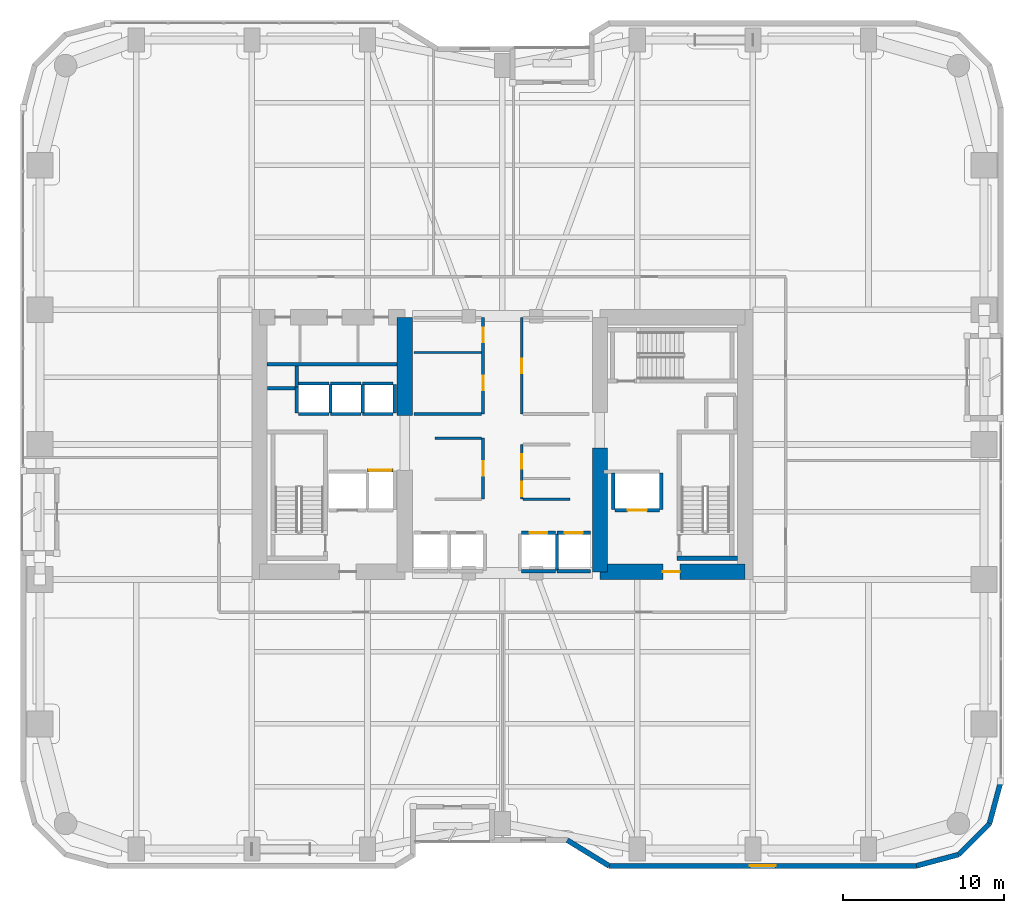
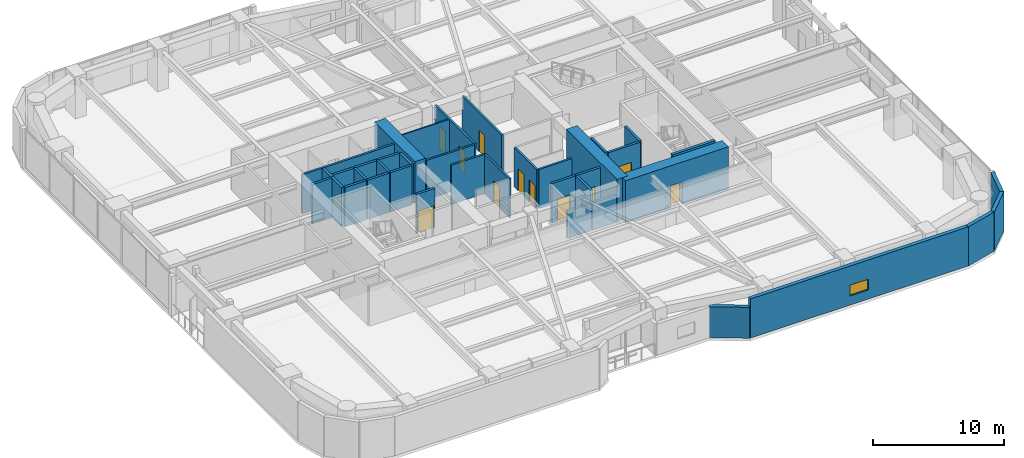
# One storey, part 23 of 29: 39 walls, 11 doors, 1 window, 12 openings.
"""IFC4 building model written with IfcOpenShell, lengths in metres."""

from ifc_helpers import new_model, si_unit, direction, frame, frame_2d, origin, place, context, subcontext, project, spatial, rectangle, extrude, material, layer, layer_set, type_object, element, fill, save


model = new_model("IFC4")

# Units and contexts
model_context = context("Model", 3, precision=1e-05, world=origin(), true_north=direction((0.0, 1.0)))
body_context = subcontext(model_context, "Body", "Model", "MODEL_VIEW")
ifc_project = project(units=[si_unit("LENGTHUNIT", "METRE"), si_unit("AREAUNIT", "SQUARE_METRE"), si_unit("VOLUMEUNIT", "CUBIC_METRE"), si_unit("PLANEANGLEUNIT", "RADIAN"), si_unit("MASSUNIT", "GRAM", prefix="KILO")], contexts=[model_context])

# Site, building, storey
site_placement = place(None, origin())
site = spatial("IfcSite", under=ifc_project, at=site_placement, CompositionType="ELEMENT")
building_placement = place(site_placement, origin())
building = spatial("IfcBuilding", under=site, at=building_placement, Name="Kiyonajd Concourse Tower", CompositionType="ELEMENT")
storey_placement = place(building_placement, frame((0.0, 0.0, 25.5)))
storey = spatial("IfcBuildingStorey", under=building, at=storey_placement, Name="L07", CompositionType="ELEMENT", Elevation=25.5)

# Walls
ifc_material_1 = material(Name="Concrete C80/95", Category="concrete")
ifc_layer_1 = layer(ifc_material_1, 0.949951171875)
ifc_layer_set_1 = layer_set([ifc_layer_1], Name="Concrete C80/95")
wall_type_1 = type_object("IfcWallType", Name="WL-CORE-950", PredefinedType="SHEAR", material=ifc_layer_set_1)
wall_1_placement = place(storey_placement, frame((41.925048828125, 37.800048828125, 0.0), z_axis=(0.0, 0.0, 1.0), x_axis=(0.0, 1.0, 0.0)))
element("IfcWall", 1, at=wall_1_placement, inside=storey, type_object=wall_type_1, Name="L07 West Core Inner North Shear Wall", PredefinedType="SHEAR", context=body_context, shape_type="SweptSolid", body=[
    extrude(rectangle(XDim=6.125, YDim=0.949951171875, at=frame_2d((3.0625, 0.0))), origin(), (0.0, 0.0, 1.0), 3.89990234375),
])
wall_2_placement = place(storey_placement, frame((54.074951171875, 28.074951171875, 0.0), z_axis=(0.0, 0.0, 1.0), x_axis=(0.0, 1.0, 0.0)))
element("IfcWall", 2, at=wall_2_placement, inside=storey, type_object=wall_type_1, Name="L07 East Core Inner South Shear Wall", PredefinedType="SHEAR", context=body_context, shape_type="SweptSolid", body=[
    extrude(rectangle(XDim=7.72509765625, YDim=0.949951171875, at=frame_2d((3.862548828125, 0.0))), origin(), (0.0, 0.0, 1.0), 3.89990234375),
])

# Wall, opening, door
wall_3_placement = place(storey_placement, frame((54.074951171875, 28.074951171875, 0.0), z_axis=(0.0, 0.0, 1.0), x_axis=(1.0, 0.0, 0.0)))
wall_3 = element("IfcWall", 3, at=wall_3_placement, inside=storey, type_object=wall_type_1, Name="L07 East Core South Shear Wall", PredefinedType="SHEAR", context=body_context, shape_type="SweptSolid", body=[
    extrude(rectangle(XDim=9.050048828125, YDim=0.949951171875, at=frame_2d((4.52490234375, 0.0))), origin(), (0.0, 0.0, 1.0), 3.89990234375),
])
opening_1_placement = place(wall_3_placement, frame((3.925048828125, 0.0, 0.0)))
opening_1 = element("IfcOpeningElement", 4, at=opening_1_placement, cuts=wall_3, Name="Opening DF5", PredefinedType="OPENING", context=body_context, shape_type="SweptSolid", body=[
    extrude(rectangle(XDim=1.050048828125, YDim=2.0400390625, at=frame_2d((0.52490234375, 1.02001953125))), frame((0.0, 0.48486328125, 0.0), z_axis=(0.0, -1.0, 0.0), x_axis=(1.0, 0.0, 0.0)), (0.0, 0.0, 1.0), 0.969970703125),
])
ifc_material_2 = material(Name="Brushed Stainless Steel Cab Assembly", Category="steel")
door_type_1 = type_object("IfcDoorType", Name="DR-FD45-1050", OperationType="NOTDEFINED", PredefinedType="DOOR", material=ifc_material_2)
door_1_placement = place(opening_1_placement, origin())
door_1 = element("IfcDoor", 5, at=door_1_placement, inside=storey, type_object=door_type_1, Name="L07 Firefighting Lift Lobby E Smoke Door", OperationType="SINGLE_SWING_RIGHT", OverallHeight=2.0400390625, OverallWidth=1.050048828125, PredefinedType="DOOR", context=body_context, shape_type="SweptSolid", body=[
    extrude(rectangle(XDim=1.050048828125, YDim=2.0400390625, at=frame_2d((0.52490234375, 1.02001953125))), frame((0.0, 0.02490234375, 0.0), z_axis=(0.0, -1.0, 0.0), x_axis=(1.0, 0.0, 0.0)), (0.0, 0.0, 1.0), 0.050048828125),
])
fill(opening_1, door_1)

# Walls
ifc_material_3 = material(Name="Precast concrete C50/60", Category="concrete")
ifc_layer_2 = layer(ifc_material_3, 0.320068359375)
ifc_layer_set_2 = layer_set([ifc_layer_2], Name="Precast concrete C50/60")
wall_type_2 = type_object("IfcWallType", Name="WL-EXT-320", PredefinedType="SOLIDWALL", material=ifc_layer_set_2)
wall_4_placement = place(storey_placement, frame((79.0400390625, 15.02099609375, 0.0), z_axis=(0.0, 0.0, 1.0), x_axis=(-0.25869736047, -0.965958423373, 0.0)))
element("IfcWall", 6, at=wall_4_placement, inside=storey, type_object=wall_type_2, Name="L07 Exterior Concrete Frame Wall 25", PredefinedType="SOLIDWALL", context=body_context, shape_type="SweptSolid", body=[
    extrude(rectangle(XDim=2.731201171875, YDim=0.320068359375, at=frame_2d((1.36572265625, 0.0))), origin(), (0.0, 0.0, 1.0), 3.639892578125),
])
wall_5_placement = place(storey_placement, frame((78.33349609375, 12.3828125, 0.0), z_axis=(0.0, 0.0, 1.0), x_axis=(-0.707106781187, -0.707106781187, 0.0)))
element("IfcWall", 7, at=wall_5_placement, inside=storey, type_object=wall_type_2, Name="L07 Exterior Concrete Frame Wall 26", PredefinedType="SOLIDWALL", context=body_context, shape_type="SweptSolid", body=[
    extrude(rectangle(XDim=2.7099609375, YDim=0.320068359375, at=frame_2d((1.35498046875, 0.0))), origin(), (0.0, 0.0, 1.0), 3.639892578125),
])
wall_6_placement = place(storey_placement, frame((76.417236328125, 10.466552734375, 0.0), z_axis=(0.0, 0.0, 1.0), x_axis=(-0.965964405026, -0.25867502435, 0.0)))
element("IfcWall", 8, at=wall_6_placement, inside=storey, type_object=wall_type_2, Name="L07 Exterior Concrete Frame Wall 27", PredefinedType="SOLIDWALL", context=body_context, shape_type="SweptSolid", body=[
    extrude(rectangle(XDim=2.7314453125, YDim=0.320068359375, at=frame_2d((1.36572265625, 0.0))), origin(), (0.0, 0.0, 1.0), 3.639892578125),
])

# Wall, opening, window
wall_7_placement = place(storey_placement, frame((73.77880859375, 9.760009765625, 0.0), z_axis=(0.0, 0.0, 1.0), x_axis=(-1.0, 0.0, 0.0)))
wall_7 = element("IfcWall", 9, at=wall_7_placement, inside=storey, type_object=wall_type_2, Name="L07 Exterior Concrete Frame Wall 28", PredefinedType="SOLIDWALL", context=body_context, shape_type="SweptSolid", body=[
    extrude(rectangle(XDim=19.133544921875, YDim=0.320068359375, at=frame_2d((9.56689453125, 0.0))), origin(), (0.0, 0.0, 1.0), 3.639892578125),
])
opening_2_placement = place(wall_7_placement, frame((8.76708984375, 0.0, 0.85009765625)))
opening_2 = element("IfcOpeningElement", 10, at=opening_2_placement, cuts=wall_7, Name="Opening WN6", PredefinedType="OPENING", context=body_context, shape_type="SweptSolid", body=[
    extrude(rectangle(XDim=1.60009765625, YDim=1.0, at=frame_2d((0.800048828125, 0.5))), frame((0.0, 0.169921875, 0.0), z_axis=(0.0, -1.0, 0.0), x_axis=(1.0, 0.0, 0.0)), (0.0, 0.0, 1.0), 0.340087890625),
])
ifc_material_4 = material(Name="Double Low-E Insulated Glass", Category="glass")
window_type = type_object("IfcWindowType", Name="WN-VIS-1600x1000", PartitioningType="SINGLE_PANEL", PredefinedType="WINDOW", material=ifc_material_4)
window_placement = place(opening_2_placement, origin())
window = element("IfcWindow", 11, at=window_placement, inside=storey, type_object=window_type, Name="L07 Modular Facade Vision Window 28", OverallHeight=1.0, OverallWidth=1.60009765625, PartitioningType="SINGLE_PANEL", PredefinedType="WINDOW", context=body_context, shape_type="SweptSolid", body=[
    extrude(rectangle(XDim=1.60009765625, YDim=1.0, at=frame_2d((0.800048828125, 0.5))), frame((0.0, 0.030029296875, 0.0), z_axis=(0.0, -1.0, 0.0), x_axis=(1.0, 0.0, 0.0)), (0.0, 0.0, 1.0), 0.06005859375),
])
fill(opening_2, window)

# Walls
wall_8_placement = place(storey_placement, frame((54.645263671875, 9.760009765625, 0.0), z_axis=(0.0, 0.0, 1.0), x_axis=(-0.851630857047, 0.524142044989, 0.0)))
element("IfcWall", 12, at=wall_8_placement, inside=storey, type_object=wall_type_2, Name="L07 Exterior Concrete Frame Wall 29", PredefinedType="SOLIDWALL", context=body_context, shape_type="SweptSolid", body=[
    extrude(rectangle(XDim=3.052734375, YDim=0.320068359375, at=frame_2d((1.5263671875, 0.0))), origin(), (0.0, 0.0, 1.0), 2.875),
])
ifc_material_5 = material(Name="Gypsum Board on Cold-Formed Steel Stud", Category="steel")
ifc_layer_3 = layer(ifc_material_5, 0.125)
ifc_layer_set_3 = layer_set([ifc_layer_3], Name="Gypsum Board on Cold-Formed Steel Stud")
wall_type_3 = type_object("IfcWallType", Name="WL-PART-125", PredefinedType="PARTITIONING", material=ifc_layer_set_3)
wall_9_placement = place(storey_placement, frame((42.5, 41.739990234375, 0.0), z_axis=(0.0, 0.0, 1.0), x_axis=(1.0, 0.0, 0.0)))
element("IfcWall", 13, at=wall_9_placement, inside=storey, type_object=wall_type_3, Name="L07 Interior Partition Wall", PredefinedType="PARTITIONING", context=body_context, shape_type="SweptSolid", body=[
    extrude(rectangle(XDim=4.212890625, YDim=0.125, at=frame_2d((2.1064453125, 0.0))), origin(), (0.0, 0.0, 1.0), 3.639892578125),
])
ifc_layer_4 = layer(ifc_material_5, 0.18994140625)
ifc_layer_set_4 = layer_set([ifc_layer_4], Name="Gypsum Board on Cold-Formed Steel Stud")
wall_type_4 = type_object("IfcWallType", Name="WL-PLMB-190", PredefinedType="PLUMBINGWALL", material=ifc_layer_set_4)
wall_10_placement = place(storey_placement, frame((33.35009765625, 41.0, 0.0), z_axis=(0.0, 0.0, 1.0), x_axis=(1.0, 0.0, 0.0)))
element("IfcWall", 14, at=wall_10_placement, inside=storey, type_object=wall_type_4, Name="L07 Interior Partition Wall", PredefinedType="PLUMBINGWALL", context=body_context, shape_type="SweptSolid", body=[
    extrude(rectangle(XDim=8.099853515625, YDim=0.18994140625, at=frame_2d((4.0498046875, 0.0))), origin(), (0.0, 0.0, 1.0), 3.639892578125),
])
ifc_layer_5 = layer(ifc_material_5, 0.2099609375)
ifc_layer_set_5 = layer_set([ifc_layer_5], Name="Gypsum Board on Cold-Formed Steel Stud")
wall_type_5 = type_object("IfcWallType", Name="WL-SHAFT-210", PredefinedType="PARTITIONING", material=ifc_layer_set_5)
wall_11_placement = place(storey_placement, frame((33.360107421875, 39.5, 0.0), z_axis=(0.0, 0.0, 1.0), x_axis=(1.0, 0.0, 0.0)))
element("IfcWall", 15, at=wall_11_placement, inside=storey, type_object=wall_type_5, Name="L07 Shaft Enclosure Wall", PredefinedType="PARTITIONING", context=body_context, shape_type="SweptSolid", body=[
    extrude(rectangle(XDim=1.85986328125, YDim=0.2099609375, at=frame_2d((0.929931640625, 0.0))), origin(), (0.0, 0.0, 1.0), 3.639892578125),
])
wall_12_placement = place(storey_placement, frame((35.199951171875, 39.580078125, 0.0), z_axis=(0.0, 0.0, 1.0), x_axis=(0.0, 1.0, 0.0)))
element("IfcWall", 16, at=wall_12_placement, inside=storey, type_object=wall_type_5, Name="L07 Shaft Enclosure Wall", PredefinedType="PARTITIONING", context=body_context, shape_type="SweptSolid", body=[
    extrude(rectangle(XDim=1.31982421875, YDim=0.2099609375, at=frame_2d((0.659912109375, 0.0))), origin(), (0.0, 0.0, 1.0), 3.639892578125),
])

# Wall, opening, door
wall_13_placement = place(storey_placement, frame((55.0, 31.89990234375, 0.0), z_axis=(0.0, 0.0, 1.0), x_axis=(1.0, 0.0, 0.0)))
wall_13 = element("IfcWall", 17, at=wall_13_placement, inside=storey, type_object=wall_type_5, Name="L07 Shaft Enclosure Wall", PredefinedType="PARTITIONING", context=body_context, shape_type="SweptSolid", body=[
    extrude(rectangle(XDim=2.800048828125, YDim=0.2099609375, at=frame_2d((1.39990234375, 0.0))), origin(), (0.0, 0.0, 1.0), 3.639892578125),
])
opening_3_placement = place(wall_13_placement, frame((0.800048828125, 0.0, 0.0)))
opening_3 = element("IfcOpeningElement", 18, at=opening_3_placement, cuts=wall_13, Name="Opening LD2", PredefinedType="OPENING", context=body_context, shape_type="SweptSolid", body=[
    extrude(rectangle(XDim=1.199951171875, YDim=2.0400390625, at=frame_2d((0.60009765625, 1.02001953125))), frame((0.0, 0.114990234375, 0.0), z_axis=(0.0, -1.0, 0.0), x_axis=(1.0, 0.0, 0.0)), (0.0, 0.0, 1.0), 0.22998046875),
])
door_type_2 = type_object("IfcDoorType", Name="DR-LD-1200", OperationType="DOUBLE_DOOR_SLIDING", PredefinedType="DOOR", material=ifc_material_2)
door_2_placement = place(opening_3_placement, origin())
door_2 = element("IfcDoor", 19, at=door_2_placement, inside=storey, type_object=door_type_2, Name="L07 Lift FFL2 Sliding Landing Door", OperationType="DOUBLE_DOOR_SLIDING", OverallHeight=2.0400390625, OverallWidth=1.199951171875, PredefinedType="DOOR", context=body_context, shape_type="SweptSolid", body=[
    extrude(rectangle(XDim=1.199951171875, YDim=2.0400390625, at=frame_2d((0.60009765625, 1.02001953125))), frame((0.0, 0.02490234375, 0.0), z_axis=(0.0, -1.0, 0.0), x_axis=(1.0, 0.0, 0.0)), (0.0, 0.0, 1.0), 0.050048828125),
])
fill(opening_3, door_2)

# Walls
for number, where, z_axis, x_axis, name in (
    (20, (54.89990234375, 31.9599609375, 0.0), (0.0, 0.0, 1.0), (0.0, 1.0, 0.0), "L07 Shaft Enclosure Wall"),
    (21, (57.89990234375, 31.9599609375, 0.0), (0.0, 0.0, 1.0), (0.0, 1.0, 0.0), "L07 Shaft Enclosure Wall"),
):
    element("IfcWall", number, at=place(storey_placement, frame(where, z_axis=z_axis, x_axis=x_axis)), inside=storey, type_object=wall_type_5, Name=name, PredefinedType="PARTITIONING", context=body_context, shape_type="SweptSolid", body=[
        extrude(rectangle(XDim=2.280029296875, YDim=0.2099609375, at=frame_2d((1.14013671875, 0.0))), origin(), (0.0, 0.0, 1.0), 3.639892578125),
    ])

# Wall, opening, door
wall_14_placement = place(storey_placement, frame((39.60009765625, 34.39990234375, 0.0), z_axis=(0.0, 0.0, 1.0), x_axis=(1.0, 0.0, 0.0)))
wall_14 = element("IfcWall", 22, at=wall_14_placement, inside=storey, type_object=wall_type_5, Name="L07 Shaft Enclosure Wall", PredefinedType="PARTITIONING", context=body_context, shape_type="SweptSolid", body=[
    extrude(rectangle(XDim=1.599853515625, YDim=0.2099609375, at=frame_2d((0.7998046875, 0.0))), origin(), (0.0, 0.0, 1.0), 3.639892578125),
])
opening_4_placement = place(wall_14_placement, frame((0.10009765625, 0.0, 0.0)))
opening_4 = element("IfcOpeningElement", 23, at=opening_4_placement, cuts=wall_14, Name="Opening LD3", PredefinedType="OPENING", context=body_context, shape_type="SweptSolid", body=[
    extrude(rectangle(XDim=1.39990234375, YDim=2.06005859375, at=frame_2d((0.699951171875, 1.030029296875))), frame((0.0, 0.114990234375, 0.0), z_axis=(0.0, -1.0, 0.0), x_axis=(1.0, 0.0, 0.0)), (0.0, 0.0, 1.0), 0.22998046875),
])
door_type_3 = type_object("IfcDoorType", Name="DR-LD-1400", OperationType="DOUBLE_DOOR_SLIDING", PredefinedType="DOOR", material=ifc_material_2)
door_3_placement = place(opening_4_placement, origin())
door_3 = element("IfcDoor", 24, at=door_3_placement, inside=storey, type_object=door_type_3, Name="L07 Lift SVL1 Sliding Landing Door", OperationType="DOUBLE_DOOR_SLIDING", OverallHeight=2.06005859375, OverallWidth=1.39990234375, PredefinedType="DOOR", context=body_context, shape_type="SweptSolid", body=[
    extrude(rectangle(XDim=1.39990234375, YDim=2.06005859375, at=frame_2d((0.699951171875, 1.030029296875))), frame((0.0, 0.02490234375, 0.0), z_axis=(0.0, -1.0, 0.0), x_axis=(1.0, 0.0, 0.0)), (0.0, 0.0, 1.0), 0.050048828125),
])
fill(opening_4, door_3)

wall_15_placement = place(storey_placement, frame((49.199951171875, 30.5, 0.0), z_axis=(0.0, 0.0, 1.0), x_axis=(1.0, 0.0, 0.0)))
wall_15 = element("IfcWall", 25, at=wall_15_placement, inside=storey, type_object=wall_type_5, Name="L07 Shaft Enclosure Wall", PredefinedType="PARTITIONING", context=body_context, shape_type="SweptSolid", body=[
    extrude(rectangle(XDim=2.10009765625, YDim=0.2099609375, at=frame_2d((1.050048828125, 0.0))), origin(), (0.0, 0.0, 1.0), 3.639892578125),
])
opening_5_placement = place(wall_15_placement, frame((0.5, 0.0, 0.0)))
opening_5 = element("IfcOpeningElement", 26, at=opening_5_placement, cuts=wall_15, Name="Opening LD1", PredefinedType="OPENING", context=body_context, shape_type="SweptSolid", body=[
    extrude(rectangle(XDim=1.10009765625, YDim=2.0400390625, at=frame_2d((0.550048828125, 1.02001953125))), frame((0.0, 0.114990234375, 0.0), z_axis=(0.0, -1.0, 0.0), x_axis=(1.0, 0.0, 0.0)), (0.0, 0.0, 1.0), 0.22998046875),
])
door_type_4 = type_object("IfcDoorType", Name="DR-LD-1100", OperationType="DOUBLE_DOOR_SLIDING", PredefinedType="DOOR", material=ifc_material_2)
door_4_placement = place(opening_5_placement, origin())
door_4 = element("IfcDoor", 27, at=door_4_placement, inside=storey, type_object=door_type_4, Name="L07 Lift PL-L3 Sliding Landing Door", OperationType="DOUBLE_DOOR_SLIDING", OverallHeight=2.0400390625, OverallWidth=1.10009765625, PredefinedType="DOOR", context=body_context, shape_type="SweptSolid", body=[
    extrude(rectangle(XDim=1.10009765625, YDim=2.0400390625, at=frame_2d((0.550048828125, 1.02001953125))), frame((0.0, 0.02490234375, 0.0), z_axis=(0.0, -1.0, 0.0), x_axis=(1.0, 0.0, 0.0)), (0.0, 0.0, 1.0), 0.050048828125),
])
fill(opening_5, door_4)

# Walls
wall_16_placement = place(storey_placement, frame((49.199951171875, 28.10009765625, 0.0), z_axis=(0.0, 0.0, 1.0), x_axis=(1.0, 0.0, 0.0)))
element("IfcWall", 28, at=wall_16_placement, inside=storey, type_object=wall_type_5, Name="L07 Shaft Enclosure Wall", PredefinedType="PARTITIONING", context=body_context, shape_type="SweptSolid", body=[
    extrude(rectangle(XDim=2.10009765625, YDim=0.2099609375, at=frame_2d((1.050048828125, 0.0))), origin(), (0.0, 0.0, 1.0), 2.52490234375),
])
wall_17_placement = place(storey_placement, frame((51.39990234375, 28.159912109375, 0.0), z_axis=(0.0, 0.0, 1.0), x_axis=(0.0, 1.0, 0.0)))
element("IfcWall", 29, at=wall_17_placement, inside=storey, type_object=wall_type_5, Name="L07 Shaft Enclosure Wall", PredefinedType="PARTITIONING", context=body_context, shape_type="SweptSolid", body=[
    extrude(rectangle(XDim=2.280029296875, YDim=0.2099609375, at=frame_2d((1.14013671875, 0.0))), origin(), (0.0, 0.0, 1.0), 3.639892578125),
])

# Wall, opening, door
wall_18_placement = place(storey_placement, frame((51.39990234375, 30.5, 0.0), z_axis=(0.0, 0.0, 1.0), x_axis=(1.0, 0.0, 0.0)))
wall_18 = element("IfcWall", 30, at=wall_18_placement, inside=storey, type_object=wall_type_5, Name="L07 Shaft Enclosure Wall", PredefinedType="PARTITIONING", context=body_context, shape_type="SweptSolid", body=[
    extrude(rectangle(XDim=2.10009765625, YDim=0.2099609375, at=frame_2d((1.050048828125, 0.0))), origin(), (0.0, 0.0, 1.0), 3.639892578125),
])
opening_6_placement = place(wall_18_placement, frame((0.5, 0.0, 0.0)))
opening_6 = element("IfcOpeningElement", 31, at=opening_6_placement, cuts=wall_18, Name="Opening LD1", PredefinedType="OPENING", context=body_context, shape_type="SweptSolid", body=[
    extrude(rectangle(XDim=1.10009765625, YDim=2.0400390625, at=frame_2d((0.550048828125, 1.02001953125))), frame((0.0, 0.114990234375, 0.0), z_axis=(0.0, -1.0, 0.0), x_axis=(1.0, 0.0, 0.0)), (0.0, 0.0, 1.0), 0.22998046875),
])
door_5_placement = place(opening_6_placement, origin())
door_5 = element("IfcDoor", 32, at=door_5_placement, inside=storey, type_object=door_type_4, Name="L07 Lift PL-L4 Sliding Landing Door", OperationType="DOUBLE_DOOR_SLIDING", OverallHeight=2.0400390625, OverallWidth=1.10009765625, PredefinedType="DOOR", context=body_context, shape_type="SweptSolid", body=[
    extrude(rectangle(XDim=1.10009765625, YDim=2.0400390625, at=frame_2d((0.550048828125, 1.02001953125))), frame((0.0, 0.02490234375, 0.0), z_axis=(0.0, -1.0, 0.0), x_axis=(1.0, 0.0, 0.0)), (0.0, 0.0, 1.0), 0.050048828125),
])
fill(opening_6, door_5)

# Walls
wall_19_placement = place(storey_placement, frame((51.39990234375, 28.10009765625, 0.0), z_axis=(0.0, 0.0, 1.0), x_axis=(1.0, 0.0, 0.0)))
element("IfcWall", 33, at=wall_19_placement, inside=storey, type_object=wall_type_5, Name="L07 Shaft Enclosure Wall", PredefinedType="PARTITIONING", context=body_context, shape_type="SweptSolid", body=[
    extrude(rectangle(XDim=2.10009765625, YDim=0.2099609375, at=frame_2d((1.050048828125, 0.0))), origin(), (0.0, 0.0, 1.0), 2.52490234375),
])
for number, where, z_axis, x_axis, name in (
    (34, (35.300048828125, 37.89990234375, 0.0), (0.0, 0.0, 1.0), (1.0, 0.0, 0.0), "L07 Shaft Enclosure Wall"),
    (35, (35.300048828125, 39.800048828125, 0.0), (0.0, 0.0, 1.0), (1.0, 0.0, 0.0), "L07 Shaft Enclosure Wall"),
):
    element("IfcWall", number, at=place(storey_placement, frame(where, z_axis=z_axis, x_axis=x_axis)), inside=storey, type_object=wall_type_5, Name=name, PredefinedType="PARTITIONING", context=body_context, shape_type="SweptSolid", body=[
        extrude(rectangle(XDim=1.89990234375, YDim=0.2099609375, at=frame_2d((0.949951171875, 0.0))), origin(), (0.0, 0.0, 1.0), 3.639892578125),
    ])
wall_20_placement = place(storey_placement, frame((35.199951171875, 37.9599609375, 0.0), z_axis=(0.0, 0.0, 1.0), x_axis=(0.0, 1.0, 0.0)))
element("IfcWall", 36, at=wall_20_placement, inside=storey, type_object=wall_type_5, Name="L07 Shaft Enclosure Wall", PredefinedType="PARTITIONING", context=body_context, shape_type="SweptSolid", body=[
    extrude(rectangle(XDim=1.6201171875, YDim=0.2099609375, at=frame_2d((0.81005859375, 0.0))), origin(), (0.0, 0.0, 1.0), 3.639892578125),
])
wall_21_placement = place(storey_placement, frame((37.300048828125, 37.9599609375, 0.0), z_axis=(0.0, 0.0, 1.0), x_axis=(0.0, 1.0, 0.0)))
element("IfcWall", 37, at=wall_21_placement, inside=storey, type_object=wall_type_5, Name="L07 Shaft Enclosure Wall", PredefinedType="PARTITIONING", context=body_context, shape_type="SweptSolid", body=[
    extrude(rectangle(XDim=1.780029296875, YDim=0.2099609375, at=frame_2d((0.89013671875, 0.0))), origin(), (0.0, 0.0, 1.0), 3.639892578125),
])
for number, where, z_axis, x_axis, name in (
    (38, (37.300048828125, 37.89990234375, 0.0), (0.0, 0.0, 1.0), (1.0, 0.0, 0.0), "L07 Shaft Enclosure Wall"),
    (39, (37.300048828125, 39.800048828125, 0.0), (0.0, 0.0, 1.0), (1.0, 0.0, 0.0), "L07 Shaft Enclosure Wall"),
):
    element("IfcWall", number, at=place(storey_placement, frame(where, z_axis=z_axis, x_axis=x_axis)), inside=storey, type_object=wall_type_5, Name=name, PredefinedType="PARTITIONING", context=body_context, shape_type="SweptSolid", body=[
        extrude(rectangle(XDim=1.89990234375, YDim=0.2099609375, at=frame_2d((0.949951171875, 0.0))), origin(), (0.0, 0.0, 1.0), 3.639892578125),
    ])
wall_22_placement = place(storey_placement, frame((39.300048828125, 37.9599609375, 0.0), z_axis=(0.0, 0.0, 1.0), x_axis=(0.0, 1.0, 0.0)))
element("IfcWall", 40, at=wall_22_placement, inside=storey, type_object=wall_type_5, Name="L07 Shaft Enclosure Wall", PredefinedType="PARTITIONING", context=body_context, shape_type="SweptSolid", body=[
    extrude(rectangle(XDim=1.780029296875, YDim=0.2099609375, at=frame_2d((0.89013671875, 0.0))), origin(), (0.0, 0.0, 1.0), 3.639892578125),
])
for number, where, z_axis, x_axis, name in (
    (41, (39.300048828125, 37.89990234375, 0.0), (0.0, 0.0, 1.0), (1.0, 0.0, 0.0), "L07 Shaft Enclosure Wall"),
    (42, (39.300048828125, 39.800048828125, 0.0), (0.0, 0.0, 1.0), (1.0, 0.0, 0.0), "L07 Shaft Enclosure Wall"),
):
    element("IfcWall", number, at=place(storey_placement, frame(where, z_axis=z_axis, x_axis=x_axis)), inside=storey, type_object=wall_type_5, Name=name, PredefinedType="PARTITIONING", context=body_context, shape_type="SweptSolid", body=[
        extrude(rectangle(XDim=1.89990234375, YDim=0.2099609375, at=frame_2d((0.949951171875, 0.0))), origin(), (0.0, 0.0, 1.0), 3.639892578125),
    ])
wall_23_placement = place(storey_placement, frame((41.300048828125, 37.9599609375, 0.0), z_axis=(0.0, 0.0, 1.0), x_axis=(0.0, 1.0, 0.0)))
element("IfcWall", 43, at=wall_23_placement, inside=storey, type_object=wall_type_5, Name="L07 Shaft Enclosure Wall", PredefinedType="PARTITIONING", context=body_context, shape_type="SweptSolid", body=[
    extrude(rectangle(XDim=1.780029296875, YDim=0.2099609375, at=frame_2d((0.89013671875, 0.0))), origin(), (0.0, 0.0, 1.0), 3.639892578125),
])

# Wall, opening, door
ifc_layer_6 = layer(ifc_material_5, 0.169921875)
ifc_layer_set_6 = layer_set([ifc_layer_6], Name="Gypsum Board on Cold-Formed Steel Stud")
wall_type_6 = type_object("IfcWallType", Name="WL-SMK-170", PredefinedType="PARTITIONING", material=ifc_layer_set_6)
wall_24_placement = place(storey_placement, frame((46.800048828125, 32.60009765625, 0.0), z_axis=(0.0, 0.0, 1.0), x_axis=(0.0, 1.0, 0.0)))
wall_24 = element("IfcWall", 44, at=wall_24_placement, inside=storey, type_object=wall_type_6, Name="L07 Interior Partition Wall", PredefinedType="PARTITIONING", context=body_context, shape_type="SweptSolid", body=[
    extrude(rectangle(XDim=3.7998046875, YDim=0.169921875, at=frame_2d((1.89990234375, 0.0))), origin(), (0.0, 0.0, 1.0), 3.639892578125),
])
opening_7_placement = place(wall_24_placement, frame((1.449951171875, 0.0, 0.0)))
opening_7 = element("IfcOpeningElement", 45, at=opening_7_placement, cuts=wall_24, Name="Opening DI2", PredefinedType="OPENING", context=body_context, shape_type="SweptSolid", body=[
    extrude(rectangle(XDim=0.89990234375, YDim=2.02001953125, at=frame_2d((0.449951171875, 1.010009765625))), frame((0.0, 0.094970703125, 0.0), z_axis=(0.0, -1.0, 0.0), x_axis=(1.0, 0.0, 0.0)), (0.0, 0.0, 1.0), 0.18994140625),
])
ifc_material_6 = material(Name="Natural Oak Acoustic Timber Veneer", Category="wood")
door_type_5 = type_object("IfcDoorType", Name="DR-INT-900", OperationType="NOTDEFINED", PredefinedType="DOOR", material=ifc_material_6)
door_6_placement = place(opening_7_placement, origin())
door_6 = element("IfcDoor", 46, at=door_6_placement, inside=storey, type_object=door_type_5, Name="L07 Interior Door", OperationType="SINGLE_SWING_LEFT", OverallHeight=2.02001953125, OverallWidth=0.89990234375, PredefinedType="DOOR", context=body_context, shape_type="SweptSolid", body=[
    extrude(rectangle(XDim=0.89990234375, YDim=2.02001953125, at=frame_2d((0.449951171875, 1.010009765625))), frame((0.0, 0.02490234375, 0.0), z_axis=(0.0, -1.0, 0.0), x_axis=(1.0, 0.0, 0.0)), (0.0, 0.0, 1.0), 0.050048828125),
])
fill(opening_7, door_6)

# Wall
wall_25_placement = place(storey_placement, frame((43.800048828125, 36.39990234375, 0.0), z_axis=(0.0, 0.0, 1.0), x_axis=(1.0, 0.0, 0.0)))
element("IfcWall", 47, at=wall_25_placement, inside=storey, type_object=wall_type_6, Name="L07 Interior Partition Wall", PredefinedType="PARTITIONING", context=body_context, shape_type="SweptSolid", body=[
    extrude(rectangle(XDim=2.912841796875, YDim=0.169921875, at=frame_2d((1.45654296875, 0.0))), origin(), (0.0, 0.0, 1.0), 3.639892578125),
])

# Wall, openings, doors
wall_26_placement = place(storey_placement, frame((49.199951171875, 32.60009765625, 0.0), z_axis=(0.0, 0.0, 1.0), x_axis=(0.0, 1.0, 0.0)))
wall_26 = element("IfcWall", 48, at=wall_26_placement, inside=storey, type_object=wall_type_6, Name="L07 Interior Partition Wall", PredefinedType="PARTITIONING", context=body_context, shape_type="SweptSolid", body=[
    extrude(rectangle(XDim=3.39990234375, YDim=0.169921875, at=frame_2d((1.699951171875, 0.0))), origin(), (0.0, 0.0, 1.0), 3.639892578125),
])
opening_8_placement = place(wall_26_placement, frame((0.196044921875, 0.0, 0.0)))
opening_8 = element("IfcOpeningElement", 49, at=opening_8_placement, cuts=wall_26, Name="Opening DI2", PredefinedType="OPENING", context=body_context, shape_type="SweptSolid", body=[
    extrude(rectangle(XDim=0.89990234375, YDim=2.02001953125, at=frame_2d((0.449951171875, 1.010009765625))), frame((0.0, 0.094970703125, 0.0), z_axis=(0.0, -1.0, 0.0), x_axis=(1.0, 0.0, 0.0)), (0.0, 0.0, 1.0), 0.18994140625),
])
opening_9_placement = place(wall_26_placement, frame((1.89599609375, 0.0, 0.0)))
opening_9 = element("IfcOpeningElement", 50, at=opening_9_placement, cuts=wall_26, Name="Opening DI2", PredefinedType="OPENING", context=body_context, shape_type="SweptSolid", body=[
    extrude(rectangle(XDim=0.89990234375, YDim=2.02001953125, at=frame_2d((0.449951171875, 1.010009765625))), frame((0.0, 0.094970703125, 0.0), z_axis=(0.0, -1.0, 0.0), x_axis=(1.0, 0.0, 0.0)), (0.0, 0.0, 1.0), 0.18994140625),
])
door_7_placement = place(opening_8_placement, origin())
door_7 = element("IfcDoor", 51, at=door_7_placement, inside=storey, type_object=door_type_5, Name="L07 Interior Door", OperationType="SINGLE_SWING_RIGHT", OverallHeight=2.02001953125, OverallWidth=0.89990234375, PredefinedType="DOOR", context=body_context, shape_type="SweptSolid", body=[
    extrude(rectangle(XDim=0.89990234375, YDim=2.02001953125, at=frame_2d((0.449951171875, 1.010009765625))), frame((0.0, 0.02490234375, 0.0), z_axis=(0.0, -1.0, 0.0), x_axis=(1.0, 0.0, 0.0)), (0.0, 0.0, 1.0), 0.050048828125),
])
fill(opening_8, door_7)
door_8_placement = place(opening_9_placement, origin())
door_8 = element("IfcDoor", 52, at=door_8_placement, inside=storey, type_object=door_type_5, Name="L07 Interior Door", OperationType="SINGLE_SWING_LEFT", OverallHeight=2.02001953125, OverallWidth=0.89990234375, PredefinedType="DOOR", context=body_context, shape_type="SweptSolid", body=[
    extrude(rectangle(XDim=0.89990234375, YDim=2.02001953125, at=frame_2d((0.449951171875, 1.010009765625))), frame((0.0, 0.02490234375, 0.0), z_axis=(0.0, -1.0, 0.0), x_axis=(1.0, 0.0, 0.0)), (0.0, 0.0, 1.0), 0.050048828125),
])
fill(opening_9, door_8)

# Wall
wall_27_placement = place(storey_placement, frame((49.287109375, 32.60009765625, 0.0), z_axis=(0.0, 0.0, 1.0), x_axis=(1.0, 0.0, 0.0)))
element("IfcWall", 53, at=wall_27_placement, inside=storey, type_object=wall_type_6, Name="L07 Interior Partition Wall", PredefinedType="PARTITIONING", context=body_context, shape_type="SweptSolid", body=[
    extrude(rectangle(XDim=2.912841796875, YDim=0.169921875, at=frame_2d((1.45654296875, 0.0))), origin(), (0.0, 0.0, 1.0), 3.639892578125),
])

# Wall, openings, doors
wall_28_placement = place(storey_placement, frame((46.800048828125, 37.89990234375, 0.0), z_axis=(0.0, 0.0, 1.0), x_axis=(0.0, 1.0, 0.0)))
wall_28 = element("IfcWall", 54, at=wall_28_placement, inside=storey, type_object=wall_type_6, Name="L07 Interior Partition Wall", PredefinedType="PARTITIONING", context=body_context, shape_type="SweptSolid", body=[
    extrude(rectangle(XDim=6.0, YDim=0.169921875, at=frame_2d((3.0, 0.0))), origin(), (0.0, 0.0, 1.0), 3.639892578125),
])
opening_10_placement = place(wall_28_placement, frame((1.469970703125, 0.0, 0.0)))
opening_10 = element("IfcOpeningElement", 55, at=opening_10_placement, cuts=wall_28, Name="Opening DF4", PredefinedType="OPENING", context=body_context, shape_type="SweptSolid", body=[
    extrude(rectangle(XDim=0.89990234375, YDim=2.02001953125, at=frame_2d((0.449951171875, 1.010009765625))), frame((0.0, 0.094970703125, 0.0), z_axis=(0.0, -1.0, 0.0), x_axis=(1.0, 0.0, 0.0)), (0.0, 0.0, 1.0), 0.18994140625),
])
opening_11_placement = place(wall_28_placement, frame((4.469970703125, 0.0, 0.0)))
opening_11 = element("IfcOpeningElement", 56, at=opening_11_placement, cuts=wall_28, Name="Opening DF4", PredefinedType="OPENING", context=body_context, shape_type="SweptSolid", body=[
    extrude(rectangle(XDim=0.89990234375, YDim=2.02001953125, at=frame_2d((0.449951171875, 1.010009765625))), frame((0.0, 0.094970703125, 0.0), z_axis=(0.0, -1.0, 0.0), x_axis=(1.0, 0.0, 0.0)), (0.0, 0.0, 1.0), 0.18994140625),
])
door_type_6 = type_object("IfcDoorType", Name="DR-FD60-900", OperationType="NOTDEFINED", PredefinedType="DOOR", material=ifc_material_2)
door_9_placement = place(opening_10_placement, origin())
door_9 = element("IfcDoor", 57, at=door_9_placement, inside=storey, type_object=door_type_6, Name="L07 Interior Door", OperationType="SINGLE_SWING_RIGHT", OverallHeight=2.02001953125, OverallWidth=0.89990234375, PredefinedType="DOOR", context=body_context, shape_type="SweptSolid", body=[
    extrude(rectangle(XDim=0.89990234375, YDim=2.02001953125, at=frame_2d((0.449951171875, 1.010009765625))), frame((0.0, 0.02490234375, 0.0), z_axis=(0.0, -1.0, 0.0), x_axis=(1.0, 0.0, 0.0)), (0.0, 0.0, 1.0), 0.050048828125),
])
fill(opening_10, door_9)
door_10_placement = place(opening_11_placement, origin())
door_10 = element("IfcDoor", 58, at=door_10_placement, inside=storey, type_object=door_type_6, Name="L07 Interior Door", OperationType="SINGLE_SWING_LEFT", OverallHeight=2.02001953125, OverallWidth=0.89990234375, PredefinedType="DOOR", context=body_context, shape_type="SweptSolid", body=[
    extrude(rectangle(XDim=0.89990234375, YDim=2.02001953125, at=frame_2d((0.449951171875, 1.010009765625))), frame((0.0, 0.02490234375, 0.0), z_axis=(0.0, -1.0, 0.0), x_axis=(1.0, 0.0, 0.0)), (0.0, 0.0, 1.0), 0.050048828125),
])
fill(opening_11, door_10)

# Wall
wall_29_placement = place(storey_placement, frame((42.5, 37.89990234375, 0.0), z_axis=(0.0, 0.0, 1.0), x_axis=(1.0, 0.0, 0.0)))
element("IfcWall", 59, at=wall_29_placement, inside=storey, type_object=wall_type_6, Name="L07 Interior Partition Wall", PredefinedType="PARTITIONING", context=body_context, shape_type="SweptSolid", body=[
    extrude(rectangle(XDim=4.212890625, YDim=0.169921875, at=frame_2d((2.1064453125, 0.0))), origin(), (0.0, 0.0, 1.0), 3.639892578125),
])

# Wall, opening, door
wall_30_placement = place(storey_placement, frame((49.199951171875, 37.89990234375, 0.0), z_axis=(0.0, 0.0, 1.0), x_axis=(0.0, 1.0, 0.0)))
wall_30 = element("IfcWall", 60, at=wall_30_placement, inside=storey, type_object=wall_type_6, Name="L07 Interior Partition Wall", PredefinedType="PARTITIONING", context=body_context, shape_type="SweptSolid", body=[
    extrude(rectangle(XDim=6.0, YDim=0.169921875, at=frame_2d((3.0, 0.0))), origin(), (0.0, 0.0, 1.0), 3.639892578125),
])
opening_12_placement = place(wall_30_placement, frame((2.550048828125, 0.0, 0.0)))
opening_12 = element("IfcOpeningElement", 61, at=opening_12_placement, cuts=wall_30, Name="Opening DI2", PredefinedType="OPENING", context=body_context, shape_type="SweptSolid", body=[
    extrude(rectangle(XDim=0.89990234375, YDim=2.02001953125, at=frame_2d((0.449951171875, 1.010009765625))), frame((0.0, 0.094970703125, 0.0), z_axis=(0.0, -1.0, 0.0), x_axis=(1.0, 0.0, 0.0)), (0.0, 0.0, 1.0), 0.18994140625),
])
door_11_placement = place(opening_12_placement, origin())
door_11 = element("IfcDoor", 62, at=door_11_placement, inside=storey, type_object=door_type_5, Name="L07 Interior Door", OperationType="SINGLE_SWING_RIGHT", OverallHeight=2.02001953125, OverallWidth=0.89990234375, PredefinedType="DOOR", context=body_context, shape_type="SweptSolid", body=[
    extrude(rectangle(XDim=0.89990234375, YDim=2.02001953125, at=frame_2d((0.449951171875, 1.010009765625))), frame((0.0, 0.02490234375, 0.0), z_axis=(0.0, -1.0, 0.0), x_axis=(1.0, 0.0, 0.0)), (0.0, 0.0, 1.0), 0.050048828125),
])
fill(opening_12, door_11)

# Wall
ifc_material_7 = material(Name="Concrete C50/60", Category="concrete")
ifc_layer_7 = layer(ifc_material_7, 0.260009765625)
ifc_layer_set_7 = layer_set([ifc_layer_7], Name="Concrete C50/60")
wall_type_7 = type_object("IfcWallType", Name="WL-STAIR-260", PredefinedType="SHEAR", material=ifc_layer_set_7)
wall_31_placement = place(storey_placement, frame((58.889892578125, 28.919921875, 0.0), z_axis=(0.0, 0.0, 1.0), x_axis=(1.0, 0.0, 0.0)))
element("IfcWall", 63, at=wall_31_placement, inside=storey, type_object=wall_type_7, Name="L07 Stair ST2 Structural South Wall", PredefinedType="SHEAR", context=body_context, shape_type="SweptSolid", body=[
    extrude(rectangle(XDim=3.760009765625, YDim=0.260009765625, at=frame_2d((1.8798828125, 0.0))), origin(), (0.0, 0.0, 1.0), 3.89990234375),
])

save(model, "model.ifc")
